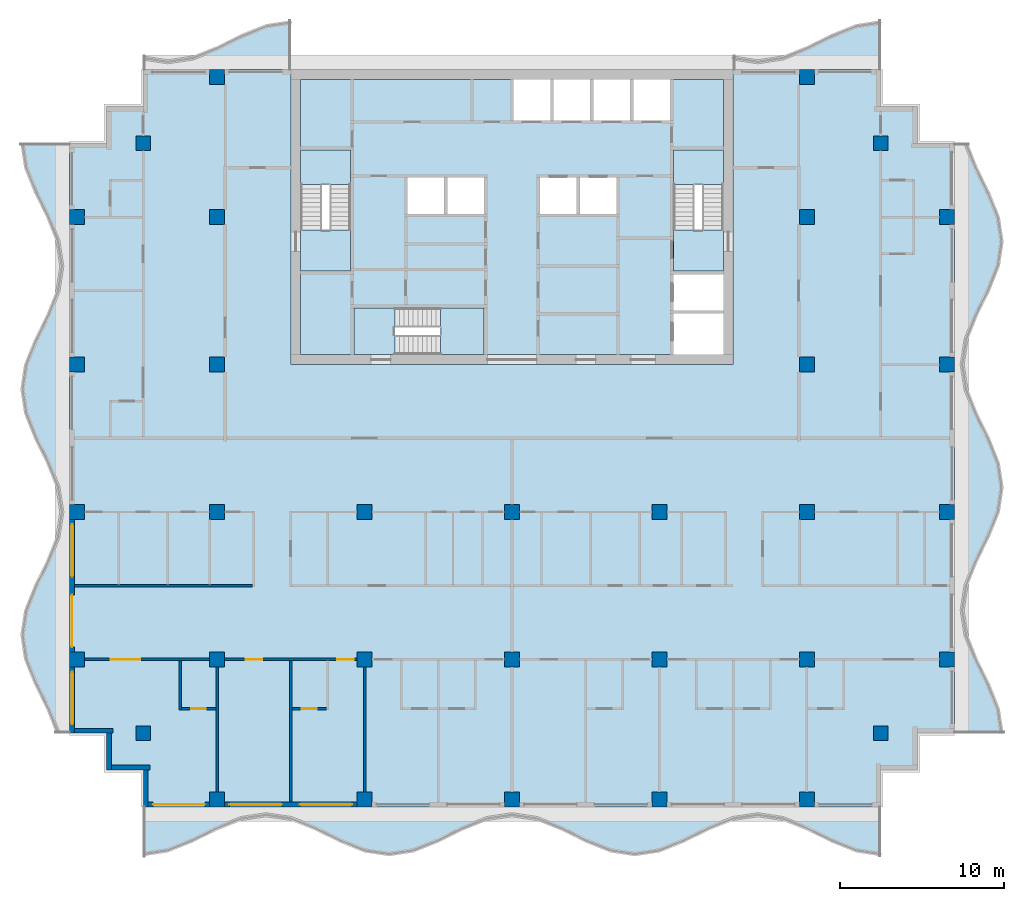
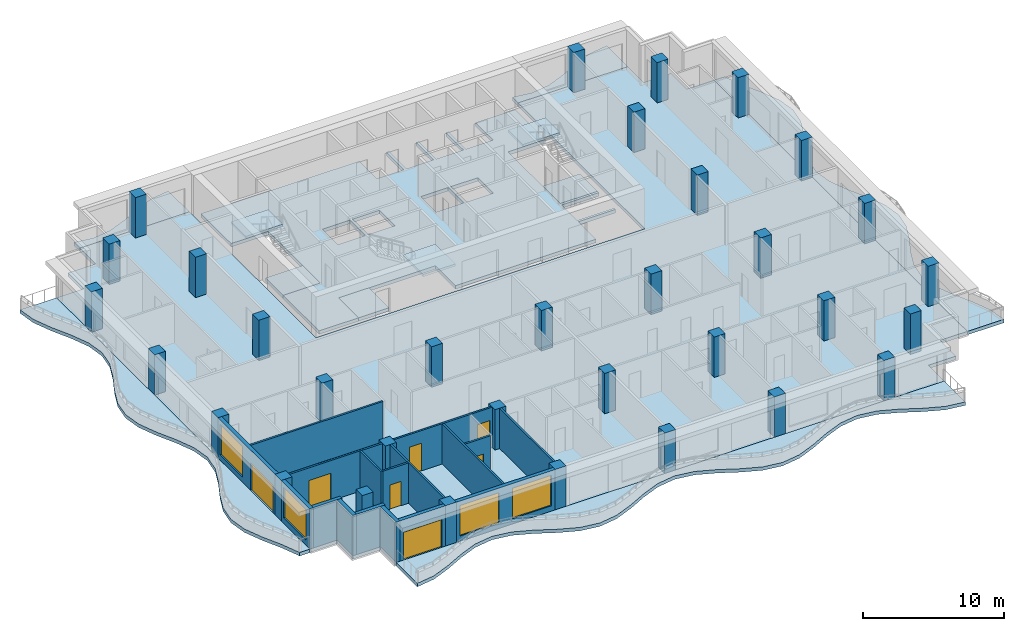
# One storey, part 1 of 11: 33 columns, 17 walls, 13 slabs, 7 doors, 4 windows, 11 openings, 3 elements without a shape of their own.
"""IFC4 building model written with IfcOpenShell, lengths in metres."""

import ifcopenshell
import ifcopenshell.guid

model = None  # the IFC model being written
_history = None  # IfcOwnerHistory: only IFC2X3 demands one
_inside = {}  # id of a spatial element -> (the spatial element, [elements in it])
_under = {}  # id of a project, library or spatial element -> (it, [spatial elements below it])
_declared = {}  # id of a project -> (the project, [libraries it declares])
_typed = {}  # id of a type object -> (the type object, [elements of that type])
_made_of = {}  # id of a material, layer set ... -> (it, [elements and type objects made of it])


def new_model(schema):
    """Start an empty IFC model of exactly this schema.

    Asked for "IFC4X3", IfcOpenShell would pick the latest addendum, in which some entities
    have other attributes; the version numbers below select the first issue.
    IFC2X3 requires an IfcOwnerHistory on every rooted entity: one is made here for all.
    """
    global model, _history
    if schema == "IFC4X3":
        model = ifcopenshell.file(schema_version=(4, 3, 0, 0))
    else:
        model = ifcopenshell.file(schema=schema)
    _inside.clear()
    _under.clear()
    _declared.clear()
    _typed.clear()
    _made_of.clear()
    _history = None
    if model.schema == "IFC2X3":
        org = make("IfcOrganization", Name="unknown")
        user = make(
            "IfcPersonAndOrganization",
            ThePerson=make("IfcPerson", FamilyName="unknown"),
            TheOrganization=org,
        )
        app = make(
            "IfcApplication",
            ApplicationDeveloper=org,
            Version="unknown",
            ApplicationFullName="unknown",
            ApplicationIdentifier="unknown",
        )
        _history = make(
            "IfcOwnerHistory",
            OwningUser=user,
            OwningApplication=app,
            ChangeAction="ADDED",
            CreationDate=0,
        )
    return model


def make(cls, **values):
    """One entity of the class cls with the attributes given. An attribute that is None is left unset."""
    return model.create_entity(
        cls, **{name: value for name, value in values.items() if value is not None}
    )


def rooted(cls, **values):
    """An entity with a GlobalId (a new one), such as an element, a storey or a relation."""
    return make(cls, GlobalId=ifcopenshell.guid.new(), OwnerHistory=_history, **values)


def si_unit(unit_type, name, prefix=None):
    """IfcSIUnit, for example si_unit("LENGTHUNIT", "METRE", prefix="MILLI")."""
    return make("IfcSIUnit", UnitType=unit_type, Prefix=prefix, Name=name)


def assignment(units):
    """IfcUnitAssignment: the units of a project."""
    return None if units is None else make("IfcUnitAssignment", Units=units)


def point(xyz):
    """IfcCartesianPoint."""
    return None if xyz is None else make("IfcCartesianPoint", Coordinates=xyz)


def direction(xyz):
    """IfcDirection."""
    return None if xyz is None else make("IfcDirection", DirectionRatios=xyz)


def frame(location, z_axis=None, x_axis=None):
    """IfcAxis2Placement3D, a coordinate frame: its origin and axes. An axis left out is left unset."""
    return make(
        "IfcAxis2Placement3D",
        Location=point(location),
        Axis=direction(z_axis),
        RefDirection=direction(x_axis),
    )


def frame_2d(location, x_axis=None):
    """IfcAxis2Placement2D, a coordinate frame in the plane: its origin and x axis."""
    return make(
        "IfcAxis2Placement2D", Location=point(location), RefDirection=direction(x_axis)
    )


def origin():
    """The frame at (0, 0, 0) with its axes left unset."""
    return frame((0.0, 0.0, 0.0))


def origin_2d():
    """The frame at (0, 0) in the plane with its x axis left unset."""
    return frame_2d((0.0, 0.0))


def place(relative_to, where):
    """IfcLocalPlacement: puts the frame where relative to a parent placement (None: the world)."""
    return make(
        "IfcLocalPlacement", PlacementRelTo=relative_to, RelativePlacement=where
    )


def context(
    kind, dimensions, precision=None, world=None, true_north=None, identifier=None
):
    """IfcGeometricRepresentationContext, for example the 3D "Model" context."""
    return make(
        "IfcGeometricRepresentationContext",
        ContextIdentifier=identifier,
        ContextType=kind,
        CoordinateSpaceDimension=dimensions,
        Precision=precision,
        WorldCoordinateSystem=world,
        TrueNorth=true_north,
    )


def subcontext(parent, identifier, kind, view, scale=None):
    """IfcGeometricRepresentationSubContext, for example "Body" below "Model"."""
    return make(
        "IfcGeometricRepresentationSubContext",
        ContextIdentifier=identifier,
        ContextType=kind,
        ParentContext=parent,
        TargetScale=scale,
        TargetView=view,
    )


def project(units=None, contexts=None):
    """IfcProject with its units and contexts."""
    return rooted(
        "IfcProject",
        Name="project",
        RepresentationContexts=contexts,
        UnitsInContext=assignment(units),
    )


def spatial(cls, under=None, at=None, **own):
    """A site, building, storey or space (cls), placed at a placement, below another one or the project."""
    s = rooted(cls, ObjectPlacement=at, **own)
    if under is not None:
        _under.setdefault(under.id(), (under, []))[1].append(s)
    return s


def polyline(points):
    """IfcPolyline through the points."""
    return make("IfcPolyline", Points=[point(p) for p in points])


def profile(cls, at=None, kind="AREA", **sizes):
    """A parametric profile (cls). Its sizes go by their IFC names, for example OverallWidth=200.0."""
    return make(cls, ProfileType=kind, Position=at, **sizes)


def rectangle(**sizes):
    """IfcRectangleProfileDef."""
    return profile("IfcRectangleProfileDef", **sizes)


def outline(outer, holes=None, kind="AREA"):
    """IfcArbitraryClosedProfileDef: a profile drawn as a closed curve; with holes, ...WithVoids."""
    if holes is None:
        return make("IfcArbitraryClosedProfileDef", ProfileType=kind, OuterCurve=outer)
    return make(
        "IfcArbitraryProfileDefWithVoids",
        ProfileType=kind,
        OuterCurve=outer,
        InnerCurves=holes,
    )


def extrude(swept, where, along, depth):
    """IfcExtrudedAreaSolid: the profile swept, set in the frame where, extruded along a direction by depth."""
    return make(
        "IfcExtrudedAreaSolid",
        SweptArea=swept,
        Position=where,
        ExtrudedDirection=direction(along),
        Depth=depth,
    )


def shape(context_of_items, identifier, shape_type, items):
    """IfcShapeRepresentation: the items that make up one representation, for example the "Body"."""
    return make(
        "IfcShapeRepresentation",
        ContextOfItems=context_of_items,
        RepresentationIdentifier=identifier,
        RepresentationType=shape_type,
        Items=items,
    )


def material(Name=None, Category=None):
    """IfcMaterial."""
    return make("IfcMaterial", Name=Name, Category=Category)


def layer(
    of_material, thickness, ventilated=None, Name=None, Category=None, Priority=None
):
    """IfcMaterialLayer: one layer of a wall or slab, of a material (None: an air gap)."""
    return make(
        "IfcMaterialLayer",
        Material=of_material,
        LayerThickness=thickness,
        IsVentilated=ventilated,
        Name=Name,
        Category=Category,
        Priority=Priority,
    )


def layer_set(layers, Name=None):
    """IfcMaterialLayerSet."""
    return make("IfcMaterialLayerSet", MaterialLayers=layers, LayerSetName=Name)


def material_profile(
    of_material, cross_section, Name=None, Category=None, Priority=None
):
    """IfcMaterialProfile: a cross section and its material."""
    return make(
        "IfcMaterialProfile",
        Name=Name,
        Material=of_material,
        Profile=cross_section,
        Priority=Priority,
        Category=Category,
    )


def profile_set(profiles, Name=None, composite=None):
    """IfcMaterialProfileSet."""
    return make(
        "IfcMaterialProfileSet",
        Name=Name,
        MaterialProfiles=profiles,
        CompositeProfile=composite,
    )


def made_of(thing, what):
    """Note that an element or type object is made of a material, layer set ...; save() writes the relation."""
    if what is not None:
        _made_of.setdefault(what.id(), (what, []))[1].append(thing)
    return thing


def type_object(cls, material=None, **own):
    """A type object (cls), such as IfcWallType, which elements share."""
    return made_of(rooted(cls, **own), material)


def element(
    cls,
    number,
    at=None,
    inside=None,
    cuts=None,
    type_object=None,
    material=None,
    context=None,
    identifier="Body",
    shape_type=None,
    held_by="IfcProductDefinitionShape",
    body=None,
    shapes=None,
    **own,
):
    """One element of the class cls, such as IfcWall. Its Tag is "e" and its number.

    at: its placement. inside: the storey or other place that contains it. cuts: it is an
    opening in that element (IfcRelVoidsElement). A single representation is given by context,
    identifier, shape_type and body (its items); several are given by shapes. held_by: the class
    of the entity that holds the representations. save() writes the other relations.
    """
    e = rooted(cls, Tag="e%d" % number, ObjectPlacement=at, **own)
    if body is not None:
        shapes = [shape(context, identifier, shape_type, body)]
    if shapes is not None:
        e.Representation = make(held_by, Representations=shapes)
    if inside is not None:
        _inside.setdefault(inside.id(), (inside, []))[1].append(e)
    if cuts is not None:
        rooted(
            "IfcRelVoidsElement", RelatingBuildingElement=cuts, RelatedOpeningElement=e
        )
    if type_object is not None:
        _typed.setdefault(type_object.id(), (type_object, []))[1].append(e)
    return made_of(e, material)


def fill(opening, filler):
    """IfcRelFillsElement: the door or window that sits in an opening."""
    return rooted(
        "IfcRelFillsElement",
        RelatingOpeningElement=opening,
        RelatedBuildingElement=filler,
    )


def aggregate(whole, parts):
    """IfcRelAggregates: a whole, such as a stair, and the parts it consists of."""
    return rooted("IfcRelAggregates", RelatingObject=whole, RelatedObjects=parts)


def save(model, path):
    """Write the relations noted so far, then the file.

    IfcRelAggregates (storeys below a building ...), IfcRelContainedInSpatialStructure (elements
    in a storey), IfcRelDefinesByType, IfcRelAssociatesMaterial and IfcRelDeclares: one each for
    every whole, place, type object, material and project.
    """
    for whole, parts in _under.values():
        aggregate(whole, parts)
    for where, things in _inside.values():
        rooted(
            "IfcRelContainedInSpatialStructure",
            RelatedElements=things,
            RelatingStructure=where,
        )
    for kind, things in _typed.values():
        rooted("IfcRelDefinesByType", RelatedObjects=things, RelatingType=kind)
    for what, things in _made_of.values():
        rooted("IfcRelAssociatesMaterial", RelatedObjects=things, RelatingMaterial=what)
    for by, libraries in _declared.values():
        rooted("IfcRelDeclares", RelatingContext=by, RelatedDefinitions=libraries)
    model.write(path)


model = new_model("IFC4")

# Units and contexts
model_context = context("Model", 3, precision=1e-05, world=origin(), true_north=direction((0.0, 1.0)))
body_context = subcontext(model_context, "Body", "Model", "MODEL_VIEW")
ifc_project = project(units=[si_unit("LENGTHUNIT", "METRE"), si_unit("AREAUNIT", "SQUARE_METRE"), si_unit("VOLUMEUNIT", "CUBIC_METRE"), si_unit("PLANEANGLEUNIT", "RADIAN"), si_unit("MASSUNIT", "GRAM", prefix="KILO")], contexts=[model_context])

# Site, building, storey
site_placement = place(None, origin())
site = spatial("IfcSite", under=ifc_project, at=site_placement, CompositionType="ELEMENT")
building_placement = place(site_placement, origin())
building = spatial("IfcBuilding", under=site, at=building_placement, Name="Orbiselva Terraces", CompositionType="ELEMENT")
storey_placement = place(building_placement, frame((0.0, 0.0, 280.6)))
storey = spatial("IfcBuildingStorey", under=building, at=storey_placement, Name="L71", CompositionType="ELEMENT", Elevation=280.6)

# Columns
ifc_material_1 = material(Name="Concrete C50/60", Category="concrete")
ifc_material_profile_1 = material_profile(ifc_material_1, rectangle(XDim=0.9, YDim=0.9, at=origin_2d()), Name="RC 900x900")
ifc_profile_set_1 = profile_set([ifc_material_profile_1], Name="Concrete C50/60")
column_type_1 = type_object("IfcColumnType", Name="COLUMN RC 900x900", PredefinedType="COLUMN", material=ifc_profile_set_1)
for number, where, z_axis, x_axis, name in (
    (1, (-18.0, -13.5, 0.0), (0.0, 0.0, 1.0), (1.0, 0.0, 0.0), "Column L71-01"),
    (2, (-18.0, -4.5, 0.0), (0.0, 0.0, 1.0), (1.0, 0.0, 0.0), "Column L71-03"),
    (3, (-18.0, 13.5, 0.0), (0.0, 0.0, 1.0), (1.0, 0.0, 0.0), "Column L71-04"),
    (4, (-18.0, 4.5, 0.0), (0.0, 0.0, 1.0), (1.0, 0.0, 0.0), "Column L71-06"),
    (5, (-9.0, -13.5, 0.0), (0.0, 0.0, 1.0), (1.0, 0.0, 0.0), "Column L71-13"),
    (6, (-9.0, -4.5, 0.0), (0.0, 0.0, 1.0), (1.0, 0.0, 0.0), "Column L71-15"),
    (7, (0.0, -13.5, 0.0), (0.0, 0.0, 1.0), (1.0, 0.0, 0.0), "Column L71-16"),
    (8, (0.0, -4.5, 0.0), (0.0, 0.0, 1.0), (1.0, 0.0, 0.0), "Column L71-18"),
    (9, (18.0, -13.5, 0.0), (0.0, 0.0, 1.0), (1.0, 0.0, 0.0), "Column L71-19"),
    (10, (18.0, -4.5, 0.0), (0.0, 0.0, 1.0), (1.0, 0.0, 0.0), "Column L71-21"),
    (11, (18.0, 13.5, 0.0), (0.0, 0.0, 1.0), (1.0, 0.0, 0.0), "Column L71-22"),
    (12, (18.0, 4.5, 0.0), (0.0, 0.0, 1.0), (1.0, 0.0, 0.0), "Column L71-24"),
    (13, (9.0, -13.5, 0.0), (0.0, 0.0, 1.0), (1.0, 0.0, 0.0), "Column L71-31"),
    (14, (9.0, -4.5, 0.0), (0.0, 0.0, 1.0), (1.0, 0.0, 0.0), "Column L71-33"),
):
    element("IfcColumn", number, at=place(storey_placement, frame(where, z_axis=z_axis, x_axis=x_axis)), inside=storey, type_object=column_type_1, Name=name, PredefinedType="COLUMN", context=body_context, shape_type="SweptSolid", body=[
        extrude(rectangle(XDim=0.9, YDim=0.9, at=origin_2d()), origin(), (0.0, 0.0, 1.0), 3.5),
    ])
ifc_material_profile_2 = material_profile(ifc_material_1, rectangle(XDim=0.9, YDim=0.9, at=origin_2d()), Name="RC 900x900")
ifc_profile_set_2 = profile_set([ifc_material_profile_2], Name="Concrete C50/60")
column_type_2 = type_object("IfcColumnType", Name="PERIMETER COLUMN RC 900x900", PredefinedType="COLUMN", material=ifc_profile_set_2)
for number, where, z_axis, x_axis, name in (
    (15, (-18.0, -22.05, 0.0), (0.0, 0.0, 1.0), (1.0, 0.0, 0.0), "Column L71-02"),
    (16, (-18.0, 22.05, 0.0), (0.0, 0.0, 1.0), (1.0, 0.0, 0.0), "Column L71-05"),
    (17, (-26.55, -13.5, 0.0), (0.0, 0.0, 1.0), (1.0, 0.0, 0.0), "Column L71-07"),
    (18, (-22.5, -18.0, 0.0), (0.0, 0.0, 1.0), (1.0, 0.0, 0.0), "Column L71-08"),
    (19, (-26.55, -4.5, 0.0), (0.0, 0.0, 1.0), (1.0, 0.0, 0.0), "Column L71-09"),
    (20, (-26.55, 13.5, 0.0), (0.0, 0.0, 1.0), (1.0, 0.0, 0.0), "Column L71-10"),
    (21, (-22.5, 18.0, 0.0), (0.0, 0.0, 1.0), (1.0, 0.0, 0.0), "Column L71-11"),
    (22, (-26.55, 4.5, 0.0), (0.0, 0.0, 1.0), (1.0, 0.0, 0.0), "Column L71-12"),
    (23, (-9.0, -22.05, 0.0), (0.0, 0.0, 1.0), (1.0, 0.0, 0.0), "Column L71-14"),
    (24, (0.0, -22.05, 0.0), (0.0, 0.0, 1.0), (1.0, 0.0, 0.0), "Column L71-17"),
    (25, (18.0, -22.05, 0.0), (0.0, 0.0, 1.0), (1.0, 0.0, 0.0), "Column L71-20"),
    (26, (18.0, 22.05, 0.0), (0.0, 0.0, 1.0), (1.0, 0.0, 0.0), "Column L71-23"),
    (27, (26.55, -13.5, 0.0), (0.0, 0.0, 1.0), (1.0, 0.0, 0.0), "Column L71-25"),
    (28, (22.5, -18.0, 0.0), (0.0, 0.0, 1.0), (1.0, 0.0, 0.0), "Column L71-26"),
    (29, (26.55, -4.5, 0.0), (0.0, 0.0, 1.0), (1.0, 0.0, 0.0), "Column L71-27"),
    (30, (26.55, 13.5, 0.0), (0.0, 0.0, 1.0), (1.0, 0.0, 0.0), "Column L71-28"),
    (31, (22.5, 18.0, 0.0), (0.0, 0.0, 1.0), (1.0, 0.0, 0.0), "Column L71-29"),
    (32, (26.55, 4.5, 0.0), (0.0, 0.0, 1.0), (1.0, 0.0, 0.0), "Column L71-30"),
    (33, (9.0, -22.05, 0.0), (0.0, 0.0, 1.0), (1.0, 0.0, 0.0), "Column L71-32"),
):
    element("IfcColumn", number, at=place(storey_placement, frame(where, z_axis=z_axis, x_axis=x_axis)), inside=storey, type_object=column_type_2, Name=name, PredefinedType="COLUMN", context=body_context, shape_type="SweptSolid", body=[
        extrude(rectangle(XDim=0.9, YDim=0.9, at=origin_2d()), origin(), (0.0, 0.0, 1.0), 3.5),
    ])

# Slabs
ifc_material_2 = material(Name="Concrete C40/50", Category="concrete")
ifc_layer_1 = layer(ifc_material_2, 0.3)
ifc_layer_set_1 = layer_set([ifc_layer_1], Name="Concrete C40/50")
slab_type_1 = type_object("IfcSlabType", Name="CORE-SLAB-FLOOR-300", PredefinedType="FLOOR", material=ifc_layer_set_1)
slab_1_placement = place(storey_placement, frame((0.0, 0.0, -0.3)))
element("IfcSlab", 34, at=slab_1_placement, inside=storey, type_object=slab_type_1, Name="L71 S1 floor landing", PredefinedType="FLOOR", context=body_context, shape_type="SweptSolid", body=[
    extrude(outline(polyline([(-12.9, 12.7), (-9.85, 12.7), (-9.85, 10.2), (-12.9, 10.2), (-12.9, 12.7)])), origin(), (0.0, 0.0, 1.0), 0.3),
])
slab_2_placement = place(storey_placement, frame((0.0, 0.0, -0.3)))
element("IfcSlab", 35, at=slab_2_placement, inside=storey, type_object=slab_type_1, Name="L71 S2 floor landing", PredefinedType="FLOOR", context=body_context, shape_type="SweptSolid", body=[
    extrude(outline(polyline([(12.9, 12.7), (12.9, 10.2), (9.85, 10.2), (9.85, 12.7), (12.9, 12.7)])), origin(), (0.0, 0.0, 1.0), 0.3),
])
slab_3_placement = place(storey_placement, frame((0.0, 0.0, -0.3)))
element("IfcSlab", 36, at=slab_3_placement, inside=storey, type_object=slab_type_1, Name="L71 S3 floor landing", PredefinedType="FLOOR", context=body_context, shape_type="SweptSolid", body=[
    extrude(outline(polyline([(-7.15, 5.1), (-9.65, 5.1), (-9.65, 7.95), (-7.15, 7.95), (-7.15, 5.1)])), origin(), (0.0, 0.0, 1.0), 0.3),
])
slab_4_placement = place(storey_placement, frame((0.0, 0.0, -0.3)))
element("IfcSlab", 37, at=slab_4_placement, inside=storey, type_object=slab_type_1, Name="L71 core floor slab 1", PredefinedType="FLOOR", context=body_context, shape_type="SweptSolid", body=[
    extrude(outline(polyline([(-1.7, 5.1), (-1.7, 7.95), (-9.65, 7.95), (-9.65, 5.1), (-12.9, 5.1), (-12.9, 10.2), (-9.85, 10.2), (-9.85, 17.6), (-12.9, 17.6), (-12.9, 21.9), (0.1, 21.9), (0.1, 19.4), (2.3375, 19.4), (2.3375, 21.9), (2.5375, 21.9), (2.5375, 19.4), (4.775, 19.4), (4.775, 21.9), (4.975, 21.9), (4.975, 19.4), (7.2125, 19.4), (7.2125, 21.9), (7.4125, 21.9), (7.4125, 19.4), (9.65, 19.4), (9.65, 21.9), (12.9, 21.9), (12.9, 17.6), (9.85, 17.6), (9.85, 10.2), (12.9, 10.2), (12.9, 10.0), (9.85, 10.0), (9.85, 7.8), (12.9, 7.8), (12.9, 7.6), (9.85, 7.6), (9.85, 5.1), (-1.7, 5.1)]), holes=[polyline([(-4.1375, 13.7), (-4.1375, 15.9), (-6.375, 15.9), (-6.375, 13.7), (-4.1375, 13.7)]), polyline([(-1.7, 13.7), (-1.7, 15.9), (-3.9375, 15.9), (-3.9375, 13.7), (-1.7, 13.7)]), polyline([(3.9375, 15.9), (1.7, 15.9), (1.7, 13.7), (3.9375, 13.7), (3.9375, 15.9)]), polyline([(6.375, 13.7), (6.375, 15.9), (4.1375, 15.9), (4.1375, 13.7), (6.375, 13.7)])]), origin(), (0.0, 0.0, 1.0), 0.3),
])

# Stair, slab
stair_type_1 = type_object("IfcStairType", Name="CORE-STAIR-1300", PredefinedType="HALF_TURN_STAIR", material=ifc_material_2)
stair_1_placement = place(storey_placement, origin())
stair_1 = element("IfcStair", 38, at=stair_1_placement, inside=storey, type_object=stair_type_1, Name="L71 Exit Stair S1", PredefinedType="HALF_TURN_STAIR")
ifc_layer_2 = layer(ifc_material_2, 0.2)
ifc_layer_set_2 = layer_set([ifc_layer_2], Name="Concrete C40/50")
slab_type_2 = type_object("IfcSlabType", Name="CORE-STAIR-LANDING-200", PredefinedType="LANDING", material=ifc_layer_set_2)
slab_5_placement = place(storey_placement, frame((0.0, 0.0, 1.7)))
slab_5 = element("IfcSlab", 39, at=slab_5_placement, type_object=slab_type_2, Name="S1 landing 1", PredefinedType="LANDING", context=body_context, shape_type="SweptSolid", body=[
    extrude(outline(polyline([(-9.85, 15.5), (-9.85, 17.6), (-12.9, 17.6), (-12.9, 15.5), (-9.85, 15.5)])), origin(), (0.0, 0.0, 1.0), 0.2),
])
aggregate(stair_1, [slab_5])

stair_2_placement = place(storey_placement, origin())
stair_2 = element("IfcStair", 40, at=stair_2_placement, inside=storey, type_object=stair_type_1, Name="L71 Exit Stair S2", PredefinedType="HALF_TURN_STAIR")
slab_6_placement = place(storey_placement, frame((0.0, 0.0, 1.7)))
slab_6 = element("IfcSlab", 41, at=slab_6_placement, type_object=slab_type_2, Name="S2 landing 1", PredefinedType="LANDING", context=body_context, shape_type="SweptSolid", body=[
    extrude(outline(polyline([(12.9, 15.5), (12.9, 17.6), (9.85, 17.6), (9.85, 15.5), (12.9, 15.5)])), origin(), (0.0, 0.0, 1.0), 0.2),
])
aggregate(stair_2, [slab_6])

stair_type_2 = type_object("IfcStairType", Name="CORE-STAIR-1200", PredefinedType="HALF_TURN_STAIR", material=ifc_material_2)
stair_3_placement = place(storey_placement, origin())
stair_3 = element("IfcStair", 42, at=stair_3_placement, inside=storey, type_object=stair_type_2, Name="L71 Exit Stair S3", PredefinedType="HALF_TURN_STAIR")
slab_7_placement = place(storey_placement, frame((0.0, 0.0, 1.7)))
slab_7 = element("IfcSlab", 43, at=slab_7_placement, type_object=slab_type_2, Name="S3 landing 1", PredefinedType="LANDING", context=body_context, shape_type="SweptSolid", body=[
    extrude(outline(polyline([(-4.35, 5.1), (-1.7, 5.1), (-1.7, 7.95), (-4.35, 7.95), (-4.35, 5.1)])), origin(), (0.0, 0.0, 1.0), 0.2),
])
aggregate(stair_3, [slab_7])

# Slabs
ifc_layer_3 = layer(ifc_material_1, 0.3)
ifc_layer_set_3 = layer_set([ifc_layer_3], Name="Concrete C50/60")
slab_type_3 = type_object("IfcSlabType", Name="ENV-BALCONY-SLAB-300", PredefinedType="FLOOR", material=ifc_layer_set_3)
slab_8_placement = place(storey_placement, frame((0.0, 0.0, -0.3)))
element("IfcSlab", 44, at=slab_8_placement, inside=storey, type_object=slab_type_3, Name="Balcony slab L71 S", PredefinedType="FLOOR", context=body_context, shape_type="SweptSolid", body=[
    extrude(outline(polyline([(-22.5, -25.5), (-21.0, -25.27082), (-19.5, -24.67082), (-18.0, -23.92918), (-16.5, -23.32918), (-15.0, -23.1), (-13.5, -23.32918), (-12.0, -23.92918), (-10.5, -24.67082), (-9.0, -25.27082), (-7.5, -25.5), (-6.0, -25.27082), (-4.5, -24.67082), (-3.0, -23.92918), (-1.5, -23.32918), (0.0, -23.1), (1.5, -23.32918), (3.0, -23.92918), (4.5, -24.67082), (6.0, -25.27082), (7.5, -25.5), (9.0, -25.27082), (10.5, -24.67082), (12.0, -23.92918), (13.5, -23.32918), (15.0, -23.1), (16.5, -23.32918), (18.0, -23.92918), (19.5, -24.67082), (21.0, -25.27082), (22.5, -25.5), (22.5, -22.5), (-22.5, -22.5), (-22.5, -25.5)])), origin(), (0.0, 0.0, 1.0), 0.3),
])
slab_9_placement = place(storey_placement, frame((0.0, 0.0, -0.3)))
element("IfcSlab", 45, at=slab_9_placement, inside=storey, type_object=slab_type_3, Name="Balcony slab L71 E", PredefinedType="FLOOR", context=body_context, shape_type="SweptSolid", body=[
    extrude(outline(polyline([(30.0, -18.0), (29.77082, -16.5), (29.17082, -15.0), (28.42918, -13.5), (27.82918, -12.0), (27.6, -10.5), (27.82918, -9.0), (28.42918, -7.5), (29.17082, -6.0), (29.77082, -4.5), (30.0, -3.0), (29.77082, -1.5), (29.17082, 0.0), (28.42918, 1.5), (27.82918, 3.0), (27.6, 4.5), (27.82918, 6.0), (28.42918, 7.5), (29.17082, 9.0), (29.77082, 10.5), (30.0, 12.0), (29.77082, 13.5), (29.17082, 15.0), (28.42918, 16.5), (27.82918, 18.0), (27.0, 18.0), (27.0, -18.0), (30.0, -18.0)])), origin(), (0.0, 0.0, 1.0), 0.3),
])
slab_10_placement = place(storey_placement, frame((0.0, 0.0, -0.3)))
element("IfcSlab", 46, at=slab_10_placement, inside=storey, type_object=slab_type_3, Name="Balcony slab L71 NE", PredefinedType="FLOOR", context=body_context, shape_type="SweptSolid", body=[
    extrude(outline(polyline([(22.5, 25.5), (21.0, 25.27082), (19.5, 24.67082), (18.0, 23.92918), (16.5, 23.32918), (15.0, 23.1), (13.5, 23.32918), (13.5, 22.5), (22.5, 22.5), (22.5, 25.5)])), origin(), (0.0, 0.0, 1.0), 0.3),
])
slab_11_placement = place(storey_placement, frame((0.0, 0.0, -0.3)))
element("IfcSlab", 47, at=slab_11_placement, inside=storey, type_object=slab_type_3, Name="Balcony slab L71 NW", PredefinedType="FLOOR", context=body_context, shape_type="SweptSolid", body=[
    extrude(outline(polyline([(-13.5, 25.5), (-15.0, 25.27082), (-16.5, 24.67082), (-18.0, 23.92918), (-19.5, 23.32918), (-21.0, 23.1), (-22.5, 23.32918), (-22.5, 22.5), (-13.5, 22.5), (-13.5, 25.5)])), origin(), (0.0, 0.0, 1.0), 0.3),
])
slab_12_placement = place(storey_placement, frame((0.0, 0.0, -0.3)))
element("IfcSlab", 48, at=slab_12_placement, inside=storey, type_object=slab_type_3, Name="Balcony slab L71 W", PredefinedType="FLOOR", context=body_context, shape_type="SweptSolid", body=[
    extrude(outline(polyline([(-30.0, 18.0), (-29.77082, 16.5), (-29.17082, 15.0), (-28.42918, 13.5), (-27.82918, 12.0), (-27.6, 10.5), (-27.82918, 9.0), (-28.42918, 7.5), (-29.17082, 6.0), (-29.77082, 4.5), (-30.0, 3.0), (-29.77082, 1.5), (-29.17082, 0.0), (-28.42918, -1.5), (-27.82918, -3.0), (-27.6, -4.5), (-27.82918, -6.0), (-28.42918, -7.5), (-29.17082, -9.0), (-29.77082, -10.5), (-30.0, -12.0), (-29.77082, -13.5), (-29.17082, -15.0), (-28.42918, -16.5), (-27.82918, -18.0), (-27.0, -18.0), (-27.0, 18.0), (-30.0, 18.0)])), origin(), (0.0, 0.0, 1.0), 0.3),
])
ifc_layer_4 = layer(ifc_material_1, 0.3)
ifc_layer_set_4 = layer_set([ifc_layer_4], Name="Concrete C50/60")
slab_type_4 = type_object("IfcSlabType", Name="FLOOR SLAB 300", PredefinedType="FLOOR", material=ifc_layer_set_4)
slab_13_placement = place(storey_placement, frame((0.0, 0.0, -0.3)))
element("IfcSlab", 49, at=slab_13_placement, inside=storey, type_object=slab_type_4, Name="Floor slab L71", PredefinedType="FLOOR", context=body_context, shape_type="SweptSolid", body=[
    extrude(outline(polyline([(22.5, 22.5), (22.5, 20.25), (24.75, 20.25), (24.75, 18.0), (27.0, 18.0), (27.0, -18.0), (24.75, -18.0), (24.75, -20.25), (22.5, -20.25), (22.5, -22.5), (-22.5, -22.5), (-22.5, -20.25), (-24.75, -20.25), (-24.75, -18.0), (-27.0, -18.0), (-27.0, 18.0), (-24.75, 18.0), (-24.75, 20.25), (-22.5, 20.25), (-22.5, 22.5), (-13.5, 22.5), (-13.5, 4.5), (13.5, 4.5), (13.5, 22.5), (22.5, 22.5)])), origin(), (0.0, 0.0, 1.0), 0.3),
])

# Wall, opening, door
ifc_material_3 = material(Name="Terracotta cladding on masonry backing", Category="masonry")
ifc_layer_5 = layer(ifc_material_3, 0.3)
ifc_layer_set_5 = layer_set([ifc_layer_5], Name="Terracotta cladding on masonry backing")
wall_type_1 = type_object("IfcWallType", Name="ENV-WALL-TERRACOTTA-300", PredefinedType="SOLIDWALL", material=ifc_layer_set_5)
wall_1_placement = place(storey_placement, frame((-18.45, -22.35, 0.0), z_axis=(0.0, 0.0, 1.0), x_axis=(-1.0, 0.0, 0.0)))
wall_1 = element("IfcWall", 50, at=wall_1_placement, inside=storey, type_object=wall_type_1, Name="Facade wall L71 S", PredefinedType="SOLIDWALL", context=body_context, shape_type="SweptSolid", body=[
    extrude(rectangle(XDim=3.75, YDim=0.3, at=frame_2d((1.875, 0.0))), origin(), (0.0, 0.0, 1.0), 3.5),
])
opening_1_placement = place(wall_1_placement, frame((0.3, 0.0, 0.0)))
opening_1 = element("IfcOpeningElement", 51, at=opening_1_placement, cuts=wall_1, Name="Opening Z5-D-E01", PredefinedType="OPENING", context=body_context, shape_type="SweptSolid", body=[
    extrude(rectangle(XDim=3.15, YDim=2.4, at=frame_2d((1.575, 1.2))), frame((0.0, 0.16, 0.0), z_axis=(0.0, -1.0, 0.0), x_axis=(1.0, 0.0, 0.0)), (0.0, 0.0, 1.0), 0.32),
])
ifc_material_4 = material(Name="Clear low-e glazing in aluminium frame", Category="aluminium")
door_type_1 = type_object("IfcDoorType", Name="BALCONY DOOR 3150 X 2400", OperationType="DOUBLE_DOOR_SLIDING", PredefinedType="DOOR", material=ifc_material_4)
door_1_placement = place(opening_1_placement, origin())
door_1 = element("IfcDoor", 52, at=door_1_placement, inside=storey, type_object=door_type_1, Name="Z5-D-E01", OperationType="SINGLE_SWING_LEFT", OverallHeight=2.4, OverallWidth=3.15, PredefinedType="DOOR", context=body_context, shape_type="SweptSolid", body=[
    extrude(rectangle(XDim=3.15, YDim=2.4, at=frame_2d((1.575, 1.2))), frame((0.0, 0.025, 0.0), z_axis=(0.0, -1.0, 0.0), x_axis=(1.0, 0.0, 0.0)), (0.0, 0.0, 1.0), 0.05),
])
fill(opening_1, door_1)

# Wall, openings, windows
wall_2_placement = place(storey_placement, frame((-9.45, -22.35, 0.0), z_axis=(0.0, 0.0, 1.0), x_axis=(-1.0, 0.0, 0.0)))
wall_2 = element("IfcWall", 53, at=wall_2_placement, inside=storey, type_object=wall_type_1, Name="Facade wall L71 S", PredefinedType="SOLIDWALL", context=body_context, shape_type="SweptSolid", body=[
    extrude(rectangle(XDim=8.1, YDim=0.3, at=frame_2d((4.05, 0.0))), origin(), (0.0, 0.0, 1.0), 3.5),
])
opening_2_placement = place(wall_2_placement, frame((4.6, 0.0, 0.45)))
opening_2 = element("IfcOpeningElement", 54, at=opening_2_placement, cuts=wall_2, Name="Opening WN17", PredefinedType="OPENING", context=body_context, shape_type="SweptSolid", body=[
    extrude(rectangle(XDim=3.2, YDim=2.65, at=frame_2d((1.6, 1.325))), frame((0.0, 0.16, 0.0), z_axis=(0.0, -1.0, 0.0), x_axis=(1.0, 0.0, 0.0)), (0.0, 0.0, 1.0), 0.32),
])
opening_3_placement = place(wall_2_placement, frame((0.3, 0.0, 0.45)))
opening_3 = element("IfcOpeningElement", 55, at=opening_3_placement, cuts=wall_2, Name="Opening WN17", PredefinedType="OPENING", context=body_context, shape_type="SweptSolid", body=[
    extrude(rectangle(XDim=3.2, YDim=2.65, at=frame_2d((1.6, 1.325))), frame((0.0, 0.16, 0.0), z_axis=(0.0, -1.0, 0.0), x_axis=(1.0, 0.0, 0.0)), (0.0, 0.0, 1.0), 0.32),
])
window_type = type_object("IfcWindowType", Name="WINDOW 3200 X 2650 S450", PartitioningType="TRIPLE_PANEL_VERTICAL", PredefinedType="WINDOW", material=ifc_material_4)
window_1_placement = place(opening_2_placement, origin())
window_1 = element("IfcWindow", 56, at=window_1_placement, inside=storey, type_object=window_type, Name="Window L71 S", OverallHeight=2.65, OverallWidth=3.2, PartitioningType="SINGLE_PANEL", PredefinedType="WINDOW", context=body_context, shape_type="SweptSolid", body=[
    extrude(rectangle(XDim=3.2, YDim=2.65, at=frame_2d((1.6, 1.325))), frame((0.0, 0.03, 0.0), z_axis=(0.0, -1.0, 0.0), x_axis=(1.0, 0.0, 0.0)), (0.0, 0.0, 1.0), 0.06),
])
fill(opening_2, window_1)
window_2_placement = place(opening_3_placement, origin())
window_2 = element("IfcWindow", 57, at=window_2_placement, inside=storey, type_object=window_type, Name="Window L71 S", OverallHeight=2.65, OverallWidth=3.2, PartitioningType="SINGLE_PANEL", PredefinedType="WINDOW", context=body_context, shape_type="SweptSolid", body=[
    extrude(rectangle(XDim=3.2, YDim=2.65, at=frame_2d((1.6, 1.325))), frame((0.0, 0.03, 0.0), z_axis=(0.0, -1.0, 0.0), x_axis=(1.0, 0.0, 0.0)), (0.0, 0.0, 1.0), 0.06),
])
fill(opening_3, window_2)

# Wall, openings, door, window
wall_3_placement = place(storey_placement, frame((-26.85, -13.05, 0.0), z_axis=(0.0, 0.0, 1.0), x_axis=(0.0, 1.0, 0.0)))
wall_3 = element("IfcWall", 58, at=wall_3_placement, inside=storey, type_object=wall_type_1, Name="Facade wall L71 W", PredefinedType="SOLIDWALL", context=body_context, shape_type="SweptSolid", body=[
    extrude(rectangle(XDim=8.1, YDim=0.3, at=frame_2d((4.05, 0.0))), origin(), (0.0, 0.0, 1.0), 3.5),
])
opening_4_placement = place(wall_3_placement, frame((4.6, 0.0, 0.45)))
opening_4 = element("IfcOpeningElement", 59, at=opening_4_placement, cuts=wall_3, Name="Opening WN17", PredefinedType="OPENING", context=body_context, shape_type="SweptSolid", body=[
    extrude(rectangle(XDim=3.2, YDim=2.65, at=frame_2d((1.6, 1.325))), frame((0.0, 0.16, 0.0), z_axis=(0.0, -1.0, 0.0), x_axis=(1.0, 0.0, 0.0)), (0.0, 0.0, 1.0), 0.32),
])
opening_5_placement = place(wall_3_placement, frame((0.3, 0.0, 0.0)))
opening_5 = element("IfcOpeningElement", 60, at=opening_5_placement, cuts=wall_3, Name="Opening Z5-D-E17", PredefinedType="OPENING", context=body_context, shape_type="SweptSolid", body=[
    extrude(rectangle(XDim=3.2, YDim=2.4, at=frame_2d((1.6, 1.2))), frame((0.0, 0.16, 0.0), z_axis=(0.0, -1.0, 0.0), x_axis=(1.0, 0.0, 0.0)), (0.0, 0.0, 1.0), 0.32),
])
door_type_2 = type_object("IfcDoorType", Name="BALCONY DOOR 3200 X 2400", OperationType="DOUBLE_DOOR_SLIDING", PredefinedType="DOOR", material=ifc_material_4)
door_2_placement = place(opening_5_placement, origin())
door_2 = element("IfcDoor", 61, at=door_2_placement, inside=storey, type_object=door_type_2, Name="Z5-D-E17", OperationType="SINGLE_SWING_LEFT", OverallHeight=2.4, OverallWidth=3.2, PredefinedType="DOOR", context=body_context, shape_type="SweptSolid", body=[
    extrude(rectangle(XDim=3.2, YDim=2.4, at=frame_2d((1.6, 1.2))), frame((0.0, 0.025, 0.0), z_axis=(0.0, -1.0, 0.0), x_axis=(1.0, 0.0, 0.0)), (0.0, 0.0, 1.0), 0.05),
])
fill(opening_5, door_2)
window_3_placement = place(opening_4_placement, origin())
window_3 = element("IfcWindow", 62, at=window_3_placement, inside=storey, type_object=window_type, Name="Window L71 W", OverallHeight=2.65, OverallWidth=3.2, PartitioningType="SINGLE_PANEL", PredefinedType="WINDOW", context=body_context, shape_type="SweptSolid", body=[
    extrude(rectangle(XDim=3.2, YDim=2.65, at=frame_2d((1.6, 1.325))), frame((0.0, 0.03, 0.0), z_axis=(0.0, -1.0, 0.0), x_axis=(1.0, 0.0, 0.0)), (0.0, 0.0, 1.0), 0.06),
])
fill(opening_4, window_3)

# Wall, opening, window
wall_4_placement = place(storey_placement, frame((-26.85, -18.0, 0.0), z_axis=(0.0, 0.0, 1.0), x_axis=(0.0, 1.0, 0.0)))
wall_4 = element("IfcWall", 63, at=wall_4_placement, inside=storey, type_object=wall_type_1, Name="Facade wall L71 W", PredefinedType="SOLIDWALL", context=body_context, shape_type="SweptSolid", body=[
    extrude(rectangle(XDim=4.05, YDim=0.3, at=frame_2d((2.025, 0.0))), origin(), (0.0, 0.0, 1.0), 3.5),
])
opening_6_placement = place(wall_4_placement, frame((0.55, 0.0, 0.45)))
opening_6 = element("IfcOpeningElement", 64, at=opening_6_placement, cuts=wall_4, Name="Opening WN17", PredefinedType="OPENING", context=body_context, shape_type="SweptSolid", body=[
    extrude(rectangle(XDim=3.2, YDim=2.65, at=frame_2d((1.6, 1.325))), frame((0.0, 0.16, 0.0), z_axis=(0.0, -1.0, 0.0), x_axis=(1.0, 0.0, 0.0)), (0.0, 0.0, 1.0), 0.32),
])
window_4_placement = place(opening_6_placement, origin())
window_4 = element("IfcWindow", 65, at=window_4_placement, inside=storey, type_object=window_type, Name="Window L71 W", OverallHeight=2.65, OverallWidth=3.2, PartitioningType="SINGLE_PANEL", PredefinedType="WINDOW", context=body_context, shape_type="SweptSolid", body=[
    extrude(rectangle(XDim=3.2, YDim=2.65, at=frame_2d((1.6, 1.325))), frame((0.0, 0.03, 0.0), z_axis=(0.0, -1.0, 0.0), x_axis=(1.0, 0.0, 0.0)), (0.0, 0.0, 1.0), 0.06),
])
fill(opening_6, window_4)

# Walls
wall_5_placement = place(storey_placement, frame((-24.35, -17.85, 0.0), z_axis=(0.0, 0.0, 1.0), x_axis=(-1.0, 0.0, 0.0)))
element("IfcWall", 66, at=wall_5_placement, inside=storey, type_object=wall_type_1, Name="Facade wall L71 STEP", PredefinedType="SOLIDWALL", context=body_context, shape_type="SweptSolid", body=[
    extrude(rectangle(XDim=2.35, YDim=0.3, at=frame_2d((1.175, 0.0))), origin(), (0.0, 0.0, 1.0), 3.5),
])
wall_6_placement = place(storey_placement, frame((-24.6, -20.25, 0.0), z_axis=(0.0, 0.0, 1.0), x_axis=(0.0, 1.0, 0.0)))
element("IfcWall", 67, at=wall_6_placement, inside=storey, type_object=wall_type_1, Name="Facade wall L71 STEP", PredefinedType="SOLIDWALL", context=body_context, shape_type="SweptSolid", body=[
    extrude(rectangle(XDim=2.25, YDim=0.3, at=frame_2d((1.125, 0.0))), origin(), (0.0, 0.0, 1.0), 3.5),
])
wall_7_placement = place(storey_placement, frame((-22.1, -20.1, 0.0), z_axis=(0.0, 0.0, 1.0), x_axis=(-1.0, 0.0, 0.0)))
element("IfcWall", 68, at=wall_7_placement, inside=storey, type_object=wall_type_1, Name="Facade wall L71 STEP", PredefinedType="SOLIDWALL", context=body_context, shape_type="SweptSolid", body=[
    extrude(rectangle(XDim=2.35, YDim=0.3, at=frame_2d((1.175, 0.0))), origin(), (0.0, 0.0, 1.0), 3.5),
])
wall_8_placement = place(storey_placement, frame((-22.35, -22.5, 0.0), z_axis=(0.0, 0.0, 1.0), x_axis=(0.0, 1.0, 0.0)))
element("IfcWall", 69, at=wall_8_placement, inside=storey, type_object=wall_type_1, Name="Facade wall L71 STEP", PredefinedType="SOLIDWALL", context=body_context, shape_type="SweptSolid", body=[
    extrude(rectangle(XDim=2.25, YDim=0.3, at=frame_2d((1.125, 0.0))), origin(), (0.0, 0.0, 1.0), 3.5),
])

# Wall, opening, door
ifc_material_5 = material(Name="Plasterboard on steel stud partition", Category="steel")
ifc_layer_6 = layer(ifc_material_5, 0.15)
ifc_layer_set_6 = layer_set([ifc_layer_6], Name="Plasterboard on steel stud partition")
wall_type_2 = type_object("IfcWallType", Name="UNIT-PARTITION-150", PredefinedType="PARTITIONING", material=ifc_layer_set_6)
wall_9_placement = place(storey_placement, frame((-20.175, -16.5, 0.0), z_axis=(0.0, 0.0, 1.0), x_axis=(1.0, 0.0, 0.0)))
wall_9 = element("IfcWall", 70, at=wall_9_placement, inside=storey, type_object=wall_type_2, Name="PARTITION L71-001", PredefinedType="PARTITIONING", context=body_context, shape_type="SweptSolid", body=[
    extrude(rectangle(XDim=2.1, YDim=0.15, at=frame_2d((1.05, 0.0))), origin(), (0.0, 0.0, 1.0), 3.5),
])
opening_7_placement = place(wall_9_placement, frame((0.6, 0.0, 0.0)))
opening_7 = element("IfcOpeningElement", 71, at=opening_7_placement, cuts=wall_9, Name="Opening Z5-D-33", PredefinedType="OPENING", context=body_context, shape_type="SweptSolid", body=[
    extrude(rectangle(XDim=0.9, YDim=2.1, at=frame_2d((0.45, 1.05))), frame((0.0, 0.085, 0.0), z_axis=(0.0, -1.0, 0.0), x_axis=(1.0, 0.0, 0.0)), (0.0, 0.0, 1.0), 0.17),
])
ifc_material_6 = material(Name="Painted timber door leaf", Category="wood")
door_type_3 = type_object("IfcDoorType", Name="BATH DOOR 900", OperationType="NOTDEFINED", PredefinedType="DOOR", material=ifc_material_6)
door_3_placement = place(opening_7_placement, origin())
door_3 = element("IfcDoor", 72, at=door_3_placement, inside=storey, type_object=door_type_3, Name="Z5-D-33", OperationType="SINGLE_SWING_LEFT", OverallHeight=2.1, OverallWidth=0.9, PredefinedType="DOOR", context=body_context, shape_type="SweptSolid", body=[
    extrude(rectangle(XDim=0.9, YDim=2.1, at=frame_2d((0.45, 1.05))), frame((0.0, 0.025, 0.0), z_axis=(0.0, -1.0, 0.0), x_axis=(1.0, 0.0, 0.0)), (0.0, 0.0, 1.0), 0.05),
])
fill(opening_7, door_3)

wall_10_placement = place(storey_placement, frame((-13.425, -16.5, 0.0), z_axis=(0.0, 0.0, 1.0), x_axis=(1.0, 0.0, 0.0)))
wall_10 = element("IfcWall", 73, at=wall_10_placement, inside=storey, type_object=wall_type_2, Name="PARTITION L71-002", PredefinedType="PARTITIONING", context=body_context, shape_type="SweptSolid", body=[
    extrude(rectangle(XDim=2.1, YDim=0.15, at=frame_2d((1.05, 0.0))), origin(), (0.0, 0.0, 1.0), 3.5),
])
opening_8_placement = place(wall_10_placement, frame((0.6, 0.0, 0.0)))
opening_8 = element("IfcOpeningElement", 74, at=opening_8_placement, cuts=wall_10, Name="Opening Z5-D-30", PredefinedType="OPENING", context=body_context, shape_type="SweptSolid", body=[
    extrude(rectangle(XDim=0.9, YDim=2.1, at=frame_2d((0.45, 1.05))), frame((0.0, 0.085, 0.0), z_axis=(0.0, -1.0, 0.0), x_axis=(1.0, 0.0, 0.0)), (0.0, 0.0, 1.0), 0.17),
])
door_4_placement = place(opening_8_placement, origin())
door_4 = element("IfcDoor", 75, at=door_4_placement, inside=storey, type_object=door_type_3, Name="Z5-D-30", OperationType="SINGLE_SWING_LEFT", OverallHeight=2.1, OverallWidth=0.9, PredefinedType="DOOR", context=body_context, shape_type="SweptSolid", body=[
    extrude(rectangle(XDim=0.9, YDim=2.1, at=frame_2d((0.45, 1.05))), frame((0.0, 0.025, 0.0), z_axis=(0.0, -1.0, 0.0), x_axis=(1.0, 0.0, 0.0)), (0.0, 0.0, 1.0), 0.05),
])
fill(opening_8, door_4)

wall_11_placement = place(storey_placement, frame((-18.45, -13.5, 0.0), z_axis=(0.0, 0.0, 1.0), x_axis=(-1.0, 0.0, 0.0)))
wall_11 = element("IfcWall", 76, at=wall_11_placement, inside=storey, type_object=wall_type_2, Name="PARTITION L71-009", PredefinedType="PARTITIONING", context=body_context, shape_type="SweptSolid", body=[
    extrude(rectangle(XDim=7.65, YDim=0.15, at=frame_2d((3.825, 0.0))), origin(), (0.0, 0.0, 1.0), 3.5),
])
opening_9_placement = place(wall_11_placement, frame((4.25, 0.0, 0.0)))
opening_9 = element("IfcOpeningElement", 77, at=opening_9_placement, cuts=wall_11, Name="Opening Z5-D-32", PredefinedType="OPENING", context=body_context, shape_type="SweptSolid", body=[
    extrude(rectangle(XDim=1.8, YDim=2.4, at=frame_2d((0.9, 1.2))), frame((0.0, 0.085, 0.0), z_axis=(0.0, -1.0, 0.0), x_axis=(1.0, 0.0, 0.0)), (0.0, 0.0, 1.0), 0.17),
])
door_type_4 = type_object("IfcDoorType", Name="DOUBLE DOOR 1800", OperationType="NOTDEFINED", PredefinedType="DOOR", material=ifc_material_6)
door_5_placement = place(opening_9_placement, origin())
door_5 = element("IfcDoor", 78, at=door_5_placement, inside=storey, type_object=door_type_4, Name="Z5-D-32", OperationType="DOUBLE_DOOR_SINGLE_SWING", OverallHeight=2.4, OverallWidth=1.8, PredefinedType="DOOR", context=body_context, shape_type="SweptSolid", body=[
    extrude(rectangle(XDim=1.8, YDim=2.4, at=frame_2d((0.9, 1.2))), frame((0.0, 0.025, 0.0), z_axis=(0.0, -1.0, 0.0), x_axis=(1.0, 0.0, 0.0)), (0.0, 0.0, 1.0), 0.05),
])
fill(opening_9, door_5)

# Wall, openings, doors
wall_12_placement = place(storey_placement, frame((-9.45, -13.5, 0.0), z_axis=(0.0, 0.0, 1.0), x_axis=(-1.0, 0.0, 0.0)))
wall_12 = element("IfcWall", 79, at=wall_12_placement, inside=storey, type_object=wall_type_2, Name="PARTITION L71-010", PredefinedType="PARTITIONING", context=body_context, shape_type="SweptSolid", body=[
    extrude(rectangle(XDim=8.1, YDim=0.15, at=frame_2d((4.05, 0.0))), origin(), (0.0, 0.0, 1.0), 3.5),
])
opening_10_placement = place(wall_12_placement, frame((0.2, 0.0, 0.0)))
opening_10 = element("IfcOpeningElement", 80, at=opening_10_placement, cuts=wall_12, Name="Opening Z5-D-29", PredefinedType="OPENING", context=body_context, shape_type="SweptSolid", body=[
    extrude(rectangle(XDim=1.0, YDim=2.4, at=frame_2d((0.5, 1.2))), frame((0.0, 0.085, 0.0), z_axis=(0.0, -1.0, 0.0), x_axis=(1.0, 0.0, 0.0)), (0.0, 0.0, 1.0), 0.17),
])
opening_11_placement = place(wall_12_placement, frame((5.8, 0.0, 0.0)))
opening_11 = element("IfcOpeningElement", 81, at=opening_11_placement, cuts=wall_12, Name="Opening Z5-D-31", PredefinedType="OPENING", context=body_context, shape_type="SweptSolid", body=[
    extrude(rectangle(XDim=1.0, YDim=2.4, at=frame_2d((0.5, 1.2))), frame((0.0, 0.085, 0.0), z_axis=(0.0, -1.0, 0.0), x_axis=(1.0, 0.0, 0.0)), (0.0, 0.0, 1.0), 0.17),
])
door_type_5 = type_object("IfcDoorType", Name="ROOM DOOR 1000", OperationType="NOTDEFINED", PredefinedType="DOOR", material=ifc_material_6)
door_6_placement = place(opening_10_placement, origin())
door_6 = element("IfcDoor", 82, at=door_6_placement, inside=storey, type_object=door_type_5, Name="Z5-D-29", OperationType="SINGLE_SWING_LEFT", OverallHeight=2.4, OverallWidth=1.0, PredefinedType="DOOR", context=body_context, shape_type="SweptSolid", body=[
    extrude(rectangle(XDim=1.0, YDim=2.4, at=frame_2d((0.5, 1.2))), frame((0.0, 0.025, 0.0), z_axis=(0.0, -1.0, 0.0), x_axis=(1.0, 0.0, 0.0)), (0.0, 0.0, 1.0), 0.05),
])
fill(opening_10, door_6)
door_7_placement = place(opening_11_placement, origin())
door_7 = element("IfcDoor", 83, at=door_7_placement, inside=storey, type_object=door_type_5, Name="Z5-D-31", OperationType="SINGLE_SWING_RIGHT", OverallHeight=2.4, OverallWidth=1.0, PredefinedType="DOOR", context=body_context, shape_type="SweptSolid", body=[
    extrude(rectangle(XDim=1.0, YDim=2.4, at=frame_2d((0.5, 1.2))), frame((0.0, 0.025, 0.0), z_axis=(0.0, -1.0, 0.0), x_axis=(1.0, 0.0, 0.0)), (0.0, 0.0, 1.0), 0.05),
])
fill(opening_11, door_7)

# Walls
wall_13_placement = place(storey_placement, frame((-26.7, -9.0, 0.0), z_axis=(0.0, 0.0, 1.0), x_axis=(1.0, 0.0, 0.0)))
element("IfcWall", 84, at=wall_13_placement, inside=storey, type_object=wall_type_2, Name="PARTITION L71-015", PredefinedType="PARTITIONING", context=body_context, shape_type="SweptSolid", body=[
    extrude(rectangle(XDim=10.875, YDim=0.15, at=frame_2d((5.4375, 0.0))), origin(), (0.0, 0.0, 1.0), 3.5),
])
wall_14_placement = place(storey_placement, frame((-20.25, -16.575, 0.0), z_axis=(0.0, 0.0, 1.0), x_axis=(0.0, 1.0, 0.0)))
element("IfcWall", 85, at=wall_14_placement, inside=storey, type_object=wall_type_2, Name="PARTITION L71-047", PredefinedType="PARTITIONING", context=body_context, shape_type="SweptSolid", body=[
    extrude(rectangle(XDim=3.0, YDim=0.15, at=frame_2d((1.5, 0.0))), origin(), (0.0, 0.0, 1.0), 3.5),
])
wall_15_placement = place(storey_placement, frame((-18.0, -21.6, 0.0), z_axis=(0.0, 0.0, 1.0), x_axis=(0.0, 1.0, 0.0)))
element("IfcWall", 86, at=wall_15_placement, inside=storey, type_object=wall_type_2, Name="PARTITION L71-049", PredefinedType="PARTITIONING", context=body_context, shape_type="SweptSolid", body=[
    extrude(rectangle(XDim=7.65, YDim=0.15, at=frame_2d((3.825, 0.0))), origin(), (0.0, 0.0, 1.0), 3.5),
])
wall_16_placement = place(storey_placement, frame((-13.5, -22.2, 0.0), z_axis=(0.0, 0.0, 1.0), x_axis=(0.0, 1.0, 0.0)))
element("IfcWall", 87, at=wall_16_placement, inside=storey, type_object=wall_type_2, Name="PARTITION L71-055", PredefinedType="PARTITIONING", context=body_context, shape_type="SweptSolid", body=[
    extrude(rectangle(XDim=8.625, YDim=0.15, at=frame_2d((4.3125, 0.0))), origin(), (0.0, 0.0, 1.0), 3.5),
])
wall_17_placement = place(storey_placement, frame((-9.0, -21.6, 0.0), z_axis=(0.0, 0.0, 1.0), x_axis=(0.0, 1.0, 0.0)))
element("IfcWall", 88, at=wall_17_placement, inside=storey, type_object=wall_type_2, Name="PARTITION L71-059", PredefinedType="PARTITIONING", context=body_context, shape_type="SweptSolid", body=[
    extrude(rectangle(XDim=7.65, YDim=0.15, at=frame_2d((3.825, 0.0))), origin(), (0.0, 0.0, 1.0), 3.5),
])

save(model, "model.ifc")
